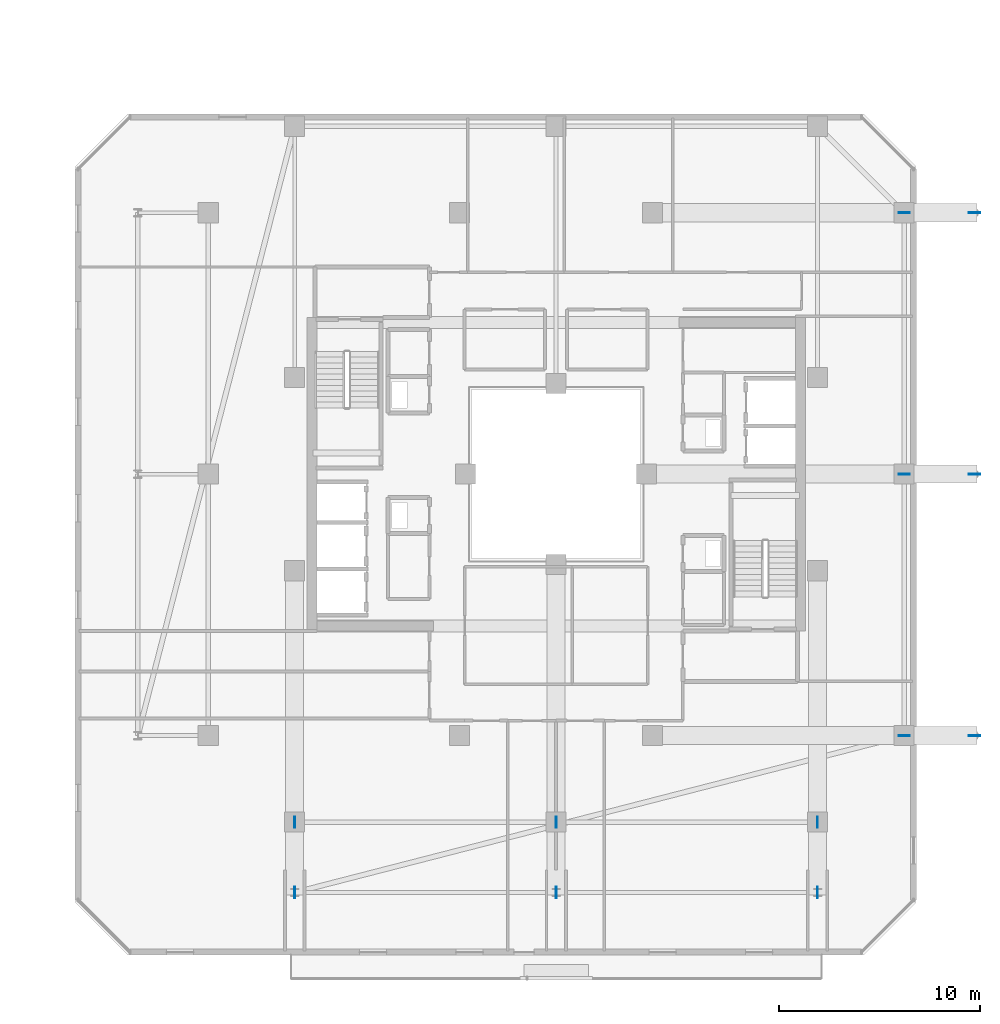
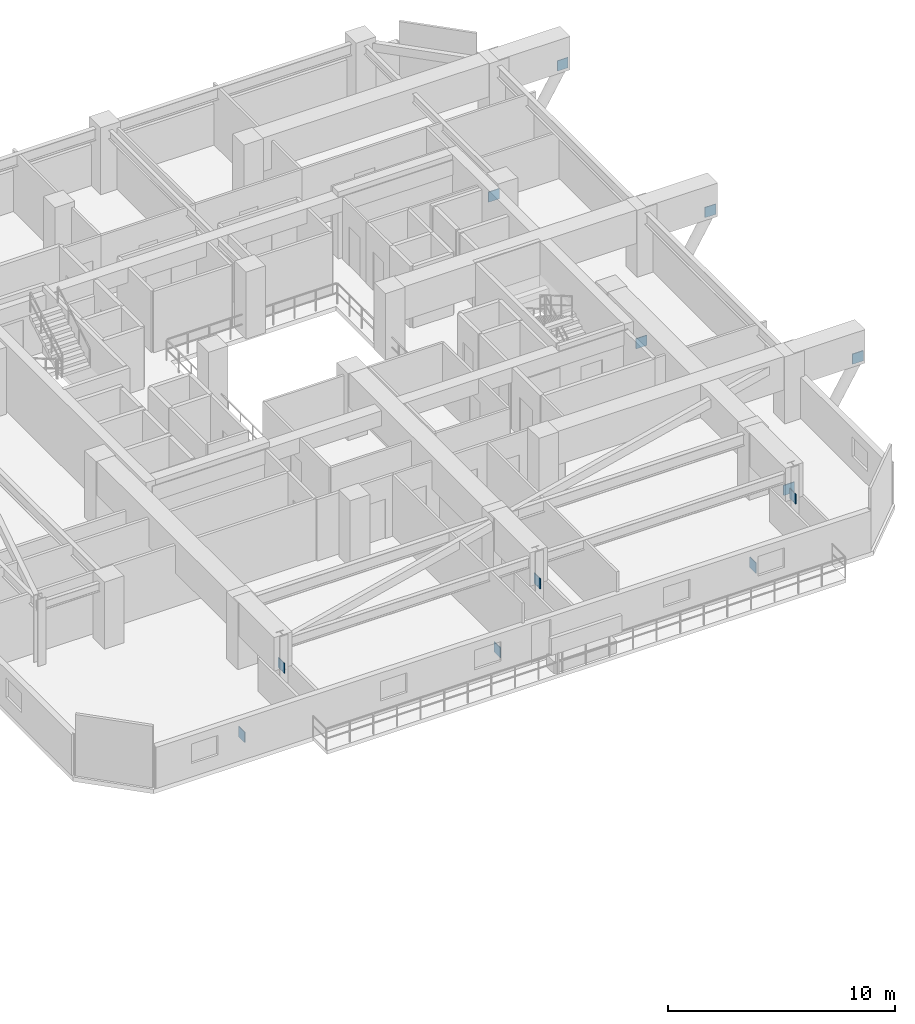
# One storey, part 20 of 35: 12 plates.
"""IFC4 building model written with IfcOpenShell, lengths in metres."""

import ifcopenshell
import ifcopenshell.guid

model = None  # the IFC model being written
_history = None  # IfcOwnerHistory: only IFC2X3 demands one
_inside = {}  # id of a spatial element -> (the spatial element, [elements in it])
_under = {}  # id of a project, library or spatial element -> (it, [spatial elements below it])
_declared = {}  # id of a project -> (the project, [libraries it declares])
_typed = {}  # id of a type object -> (the type object, [elements of that type])
_made_of = {}  # id of a material, layer set ... -> (it, [elements and type objects made of it])


def new_model(schema):
    """Start an empty IFC model of exactly this schema.

    Asked for "IFC4X3", IfcOpenShell would pick the latest addendum, in which some entities
    have other attributes; the version numbers below select the first issue.
    IFC2X3 requires an IfcOwnerHistory on every rooted entity: one is made here for all.
    """
    global model, _history
    if schema == "IFC4X3":
        model = ifcopenshell.file(schema_version=(4, 3, 0, 0))
    else:
        model = ifcopenshell.file(schema=schema)
    _inside.clear()
    _under.clear()
    _declared.clear()
    _typed.clear()
    _made_of.clear()
    _history = None
    if model.schema == "IFC2X3":
        org = make("IfcOrganization", Name="unknown")
        user = make(
            "IfcPersonAndOrganization",
            ThePerson=make("IfcPerson", FamilyName="unknown"),
            TheOrganization=org,
        )
        app = make(
            "IfcApplication",
            ApplicationDeveloper=org,
            Version="unknown",
            ApplicationFullName="unknown",
            ApplicationIdentifier="unknown",
        )
        _history = make(
            "IfcOwnerHistory",
            OwningUser=user,
            OwningApplication=app,
            ChangeAction="ADDED",
            CreationDate=0,
        )
    return model


def make(cls, **values):
    """One entity of the class cls with the attributes given. An attribute that is None is left unset."""
    return model.create_entity(
        cls, **{name: value for name, value in values.items() if value is not None}
    )


def rooted(cls, **values):
    """An entity with a GlobalId (a new one), such as an element, a storey or a relation."""
    return make(cls, GlobalId=ifcopenshell.guid.new(), OwnerHistory=_history, **values)


def si_unit(unit_type, name, prefix=None):
    """IfcSIUnit, for example si_unit("LENGTHUNIT", "METRE", prefix="MILLI")."""
    return make("IfcSIUnit", UnitType=unit_type, Prefix=prefix, Name=name)


def assignment(units):
    """IfcUnitAssignment: the units of a project."""
    return None if units is None else make("IfcUnitAssignment", Units=units)


def point(xyz):
    """IfcCartesianPoint."""
    return None if xyz is None else make("IfcCartesianPoint", Coordinates=xyz)


def direction(xyz):
    """IfcDirection."""
    return None if xyz is None else make("IfcDirection", DirectionRatios=xyz)


def frame(location, z_axis=None, x_axis=None):
    """IfcAxis2Placement3D, a coordinate frame: its origin and axes. An axis left out is left unset."""
    return make(
        "IfcAxis2Placement3D",
        Location=point(location),
        Axis=direction(z_axis),
        RefDirection=direction(x_axis),
    )


def frame_2d(location, x_axis=None):
    """IfcAxis2Placement2D, a coordinate frame in the plane: its origin and x axis."""
    return make(
        "IfcAxis2Placement2D", Location=point(location), RefDirection=direction(x_axis)
    )


def origin():
    """The frame at (0, 0, 0) with its axes left unset."""
    return frame((0.0, 0.0, 0.0))


def origin_2d():
    """The frame at (0, 0) in the plane with its x axis left unset."""
    return frame_2d((0.0, 0.0))


def place(relative_to, where):
    """IfcLocalPlacement: puts the frame where relative to a parent placement (None: the world)."""
    return make(
        "IfcLocalPlacement", PlacementRelTo=relative_to, RelativePlacement=where
    )


def context(
    kind, dimensions, precision=None, world=None, true_north=None, identifier=None
):
    """IfcGeometricRepresentationContext, for example the 3D "Model" context."""
    return make(
        "IfcGeometricRepresentationContext",
        ContextIdentifier=identifier,
        ContextType=kind,
        CoordinateSpaceDimension=dimensions,
        Precision=precision,
        WorldCoordinateSystem=world,
        TrueNorth=true_north,
    )


def subcontext(parent, identifier, kind, view, scale=None):
    """IfcGeometricRepresentationSubContext, for example "Body" below "Model"."""
    return make(
        "IfcGeometricRepresentationSubContext",
        ContextIdentifier=identifier,
        ContextType=kind,
        ParentContext=parent,
        TargetScale=scale,
        TargetView=view,
    )


def project(units=None, contexts=None):
    """IfcProject with its units and contexts."""
    return rooted(
        "IfcProject",
        Name="project",
        RepresentationContexts=contexts,
        UnitsInContext=assignment(units),
    )


def spatial(cls, under=None, at=None, **own):
    """A site, building, storey or space (cls), placed at a placement, below another one or the project."""
    s = rooted(cls, ObjectPlacement=at, **own)
    if under is not None:
        _under.setdefault(under.id(), (under, []))[1].append(s)
    return s


def profile(cls, at=None, kind="AREA", **sizes):
    """A parametric profile (cls). Its sizes go by their IFC names, for example OverallWidth=200.0."""
    return make(cls, ProfileType=kind, Position=at, **sizes)


def rectangle(**sizes):
    """IfcRectangleProfileDef."""
    return profile("IfcRectangleProfileDef", **sizes)


def extrude(swept, where, along, depth):
    """IfcExtrudedAreaSolid: the profile swept, set in the frame where, extruded along a direction by depth."""
    return make(
        "IfcExtrudedAreaSolid",
        SweptArea=swept,
        Position=where,
        ExtrudedDirection=direction(along),
        Depth=depth,
    )


def shape(context_of_items, identifier, shape_type, items):
    """IfcShapeRepresentation: the items that make up one representation, for example the "Body"."""
    return make(
        "IfcShapeRepresentation",
        ContextOfItems=context_of_items,
        RepresentationIdentifier=identifier,
        RepresentationType=shape_type,
        Items=items,
    )


def material(Name=None, Category=None):
    """IfcMaterial."""
    return make("IfcMaterial", Name=Name, Category=Category)


def layer(
    of_material, thickness, ventilated=None, Name=None, Category=None, Priority=None
):
    """IfcMaterialLayer: one layer of a wall or slab, of a material (None: an air gap)."""
    return make(
        "IfcMaterialLayer",
        Material=of_material,
        LayerThickness=thickness,
        IsVentilated=ventilated,
        Name=Name,
        Category=Category,
        Priority=Priority,
    )


def layer_set(layers, Name=None):
    """IfcMaterialLayerSet."""
    return make("IfcMaterialLayerSet", MaterialLayers=layers, LayerSetName=Name)


def made_of(thing, what):
    """Note that an element or type object is made of a material, layer set ...; save() writes the relation."""
    if what is not None:
        _made_of.setdefault(what.id(), (what, []))[1].append(thing)
    return thing


def type_object(cls, material=None, **own):
    """A type object (cls), such as IfcWallType, which elements share."""
    return made_of(rooted(cls, **own), material)


def element(
    cls,
    number,
    at=None,
    inside=None,
    cuts=None,
    type_object=None,
    material=None,
    context=None,
    identifier="Body",
    shape_type=None,
    held_by="IfcProductDefinitionShape",
    body=None,
    shapes=None,
    **own,
):
    """One element of the class cls, such as IfcWall. Its Tag is "e" and its number.

    at: its placement. inside: the storey or other place that contains it. cuts: it is an
    opening in that element (IfcRelVoidsElement). A single representation is given by context,
    identifier, shape_type and body (its items); several are given by shapes. held_by: the class
    of the entity that holds the representations. save() writes the other relations.
    """
    e = rooted(cls, Tag="e%d" % number, ObjectPlacement=at, **own)
    if body is not None:
        shapes = [shape(context, identifier, shape_type, body)]
    if shapes is not None:
        e.Representation = make(held_by, Representations=shapes)
    if inside is not None:
        _inside.setdefault(inside.id(), (inside, []))[1].append(e)
    if cuts is not None:
        rooted(
            "IfcRelVoidsElement", RelatingBuildingElement=cuts, RelatedOpeningElement=e
        )
    if type_object is not None:
        _typed.setdefault(type_object.id(), (type_object, []))[1].append(e)
    return made_of(e, material)


def aggregate(whole, parts):
    """IfcRelAggregates: a whole, such as a stair, and the parts it consists of."""
    return rooted("IfcRelAggregates", RelatingObject=whole, RelatedObjects=parts)


def save(model, path):
    """Write the relations noted so far, then the file.

    IfcRelAggregates (storeys below a building ...), IfcRelContainedInSpatialStructure (elements
    in a storey), IfcRelDefinesByType, IfcRelAssociatesMaterial and IfcRelDeclares: one each for
    every whole, place, type object, material and project.
    """
    for whole, parts in _under.values():
        aggregate(whole, parts)
    for where, things in _inside.values():
        rooted(
            "IfcRelContainedInSpatialStructure",
            RelatedElements=things,
            RelatingStructure=where,
        )
    for kind, things in _typed.values():
        rooted("IfcRelDefinesByType", RelatedObjects=things, RelatingType=kind)
    for what, things in _made_of.values():
        rooted("IfcRelAssociatesMaterial", RelatedObjects=things, RelatingMaterial=what)
    for by, libraries in _declared.values():
        rooted("IfcRelDeclares", RelatingContext=by, RelatedDefinitions=libraries)
    model.write(path)


model = new_model("IFC4")

# Units and contexts
model_context = context("Model", 3, precision=1e-05, world=origin(), true_north=direction((0.0, 1.0)))
body_context = subcontext(model_context, "Body", "Model", "MODEL_VIEW")
ifc_project = project(units=[si_unit("LENGTHUNIT", "METRE"), si_unit("AREAUNIT", "SQUARE_METRE"), si_unit("VOLUMEUNIT", "CUBIC_METRE"), si_unit("PLANEANGLEUNIT", "RADIAN"), si_unit("MASSUNIT", "GRAM", prefix="KILO")], contexts=[model_context])

# Site, building, storey
site_placement = place(None, origin())
site = spatial("IfcSite", under=ifc_project, at=site_placement, CompositionType="ELEMENT")
building_placement = place(site_placement, origin())
building = spatial("IfcBuilding", under=site, at=building_placement, Name="Thornwick Lancets Civic Towers", CompositionType="ELEMENT")
storey_placement = place(building_placement, frame((0.0, 0.0, 225.89990234375)))
storey = spatial("IfcBuildingStorey", under=building, at=storey_placement, Name="L60", CompositionType="ELEMENT", Elevation=225.89990234375)

# Plates
ifc_material = material(Name="Steel S460M", Category="steel")
ifc_layer = layer(ifc_material, 0.0400390625, Name="Steel S460M")
ifc_layer_set = layer_set([ifc_layer], Name="Steel S460M")
plate_type = type_object("IfcPlateType", Name="PLT_GUSSET_40", PredefinedType="USERDEFINED", material=ifc_layer_set)
for number, where, z_axis, x_axis, name in (
    (1, (105.800048828125, 14.0, -4.22509765625), (0.0, 0.0, 1.0), (1.0, 0.0, 0.0), "L60 Brace Connection Gusset Plate 0385"),
    (2, (109.300048828125, 14.0, 1.60498046875), (0.0, 0.0, 1.0), (1.0, 0.0, 0.0), "L60 Brace Connection Gusset Plate 0386"),
    (3, (105.800048828125, 27.0, -4.22509765625), (0.0, 0.0, 1.0), (1.0, 0.0, 0.0), "L60 Brace Connection Gusset Plate 0387"),
    (4, (109.300048828125, 27.0, 1.60498046875), (0.0, 0.0, 1.0), (1.0, 0.0, 0.0), "L60 Brace Connection Gusset Plate 0388"),
    (5, (105.800048828125, 40.0, -4.22509765625), (0.0, 0.0, 1.0), (1.0, 0.0, 0.0), "L60 Brace Connection Gusset Plate 0389"),
    (6, (109.300048828125, 40.0, 1.60498046875), (0.0, 0.0, 1.0), (1.0, 0.0, 0.0), "L60 Brace Connection Gusset Plate 0390"),
    (7, (101.5, 9.699951171875, -4.22509765625), (0.0, 0.0, 1.0), (0.0, -1.0, 0.0), "L60 Brace Connection Gusset Plate 0391"),
    (8, (101.5, 6.199951171875, 1.60498046875), (0.0, 0.0, 1.0), (0.0, -1.0, 0.0), "L60 Brace Connection Gusset Plate 0392"),
    (9, (88.5, 9.699951171875, -4.22509765625), (0.0, 0.0, 1.0), (0.0, -1.0, 0.0), "L60 Brace Connection Gusset Plate 0393"),
    (10, (88.5, 6.199951171875, 1.60498046875), (0.0, 0.0, 1.0), (0.0, -1.0, 0.0), "L60 Brace Connection Gusset Plate 0394"),
    (11, (75.5, 9.699951171875, -4.22509765625), (0.0, 0.0, 1.0), (0.0, -1.0, 0.0), "L60 Brace Connection Gusset Plate 0395"),
    (12, (75.5, 6.199951171875, 1.60498046875), (0.0, 0.0, 1.0), (0.0, -1.0, 0.0), "L60 Brace Connection Gusset Plate 0396"),
):
    element("IfcPlate", number, at=place(storey_placement, frame(where, z_axis=z_axis, x_axis=x_axis)), inside=storey, type_object=plate_type, Name=name, ObjectType="GUSSET_PLATE", PredefinedType="USERDEFINED", context=body_context, shape_type="SweptSolid", body=[
        extrude(rectangle(XDim=0.550048828125, YDim=0.0400390625, at=origin_2d()), origin(), (0.0, 0.0, 1.0), 0.550048828125),
    ])

save(model, "model.ifc")
